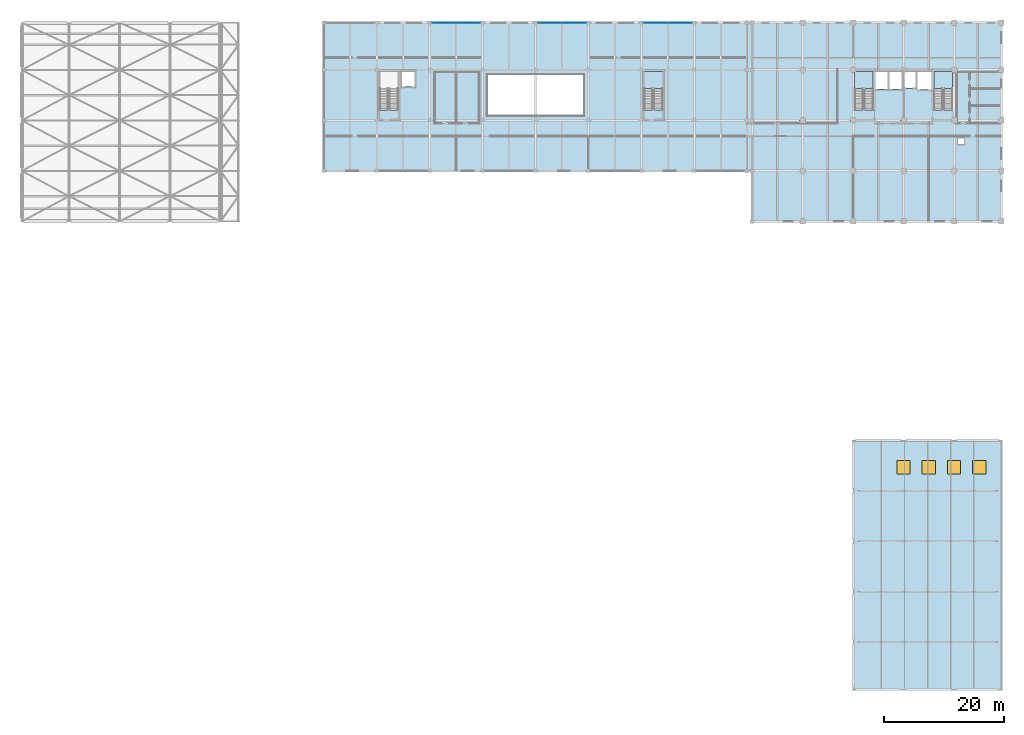
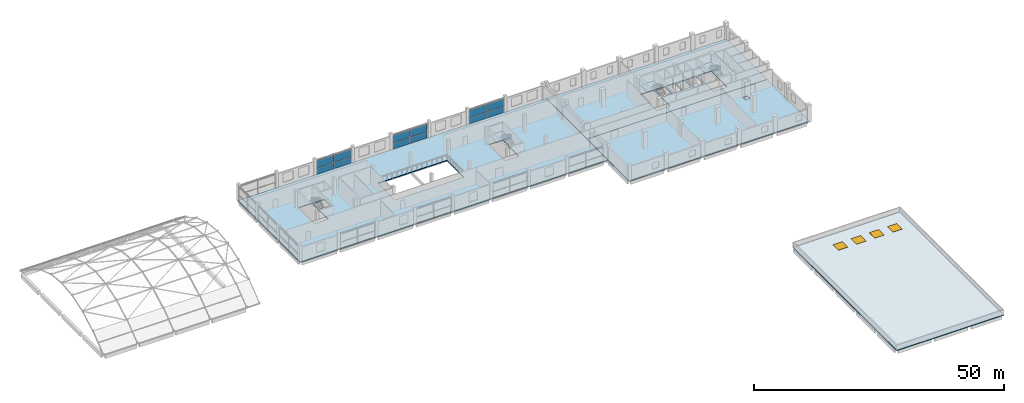
# One storey, part 23 of 38: 12 plates, 7 slabs, 4 windows, 4 openings, 7 elements without a shape of their own.
"""IFC4 building model written with IfcOpenShell, lengths in metres."""

from ifc_helpers import new_model, si_unit, direction, frame, origin, origin_2d, place, context, subcontext, project, spatial, polyline, rectangle, outline, extrude, material, layer, layer_set, type_object, element, fill, aggregate, save


model = new_model("IFC4")

# Units and contexts
model_context = context("Model", 3, precision=1e-05, world=origin(), true_north=direction((0.0, 1.0)))
body_context = subcontext(model_context, "Body", "Model", "MODEL_VIEW")
ifc_project = project(units=[si_unit("LENGTHUNIT", "METRE"), si_unit("AREAUNIT", "SQUARE_METRE"), si_unit("VOLUMEUNIT", "CUBIC_METRE"), si_unit("PLANEANGLEUNIT", "RADIAN"), si_unit("MASSUNIT", "GRAM", prefix="KILO")], contexts=[model_context])

# Site, building, storey
site_placement = place(None, origin())
site = spatial("IfcSite", under=ifc_project, at=site_placement, CompositionType="ELEMENT")
building_placement = place(site_placement, origin())
building = spatial("IfcBuilding", under=site, at=building_placement, Name="Brinegate Botanical Conservatory", CompositionType="ELEMENT")
storey_placement = place(building_placement, frame((0.0, 0.0, 10.199951171875)))
storey = spatial("IfcBuildingStorey", under=building, at=storey_placement, Name="L03", CompositionType="ELEMENT", Elevation=10.199951171875)

# Curtain wall, plates
ifc_material_1 = material(Name="Thermally broken anodised aluminium AW-6063-T6", Category="aluminium")
curtain_wall_type = type_object("IfcCurtainWallType", Name="CW_CW-V3", PredefinedType="USERDEFINED", material=ifc_material_1)
curtain_wall_1_placement = place(storey_placement, origin())
curtain_wall_1 = element("IfcCurtainWall", 1, at=curtain_wall_1_placement, inside=storey, type_object=curtain_wall_type, Name="Visitor north factory curtain wall L03.3", ObjectType="FACTORY CURTAIN WALL", PredefinedType="USERDEFINED")
ifc_material_2 = material(Name="Double-silver Low-E laminated safety glass", Category="glass")
ifc_layer_1 = layer(ifc_material_2, 0.028076171875, Name="Double-silver Low-E laminated safety glass", Category="glass")
ifc_layer_set_1 = layer_set([ifc_layer_1], Name="Double-silver Low-E laminated safety glass")
plate_type = type_object("IfcPlateType", Name="Plate_PN-28", PredefinedType="CURTAIN_PANEL", material=ifc_layer_set_1)
plate_1_placement = place(storey_placement, frame((70.7861328125, 111.449951171875, 0.065185546875), z_axis=(0.0, 0.0, 1.0), x_axis=(1.0, 0.0, 0.0)))
plate_1 = element("IfcPlate", 2, at=plate_1_placement, type_object=plate_type, Name="CW-V3 panel 1.1", PredefinedType="CURTAIN_PANEL", context=body_context, shape_type="SweptSolid", body=[
    extrude(rectangle(XDim=3.96240234375, YDim=0.028076171875, at=origin_2d()), origin(), (0.0, 0.0, 1.0), 1.482421875),
])
plate_2_placement = place(storey_placement, frame((70.7861328125, 111.449951171875, 1.612548828125), z_axis=(0.0, 0.0, 1.0), x_axis=(1.0, 0.0, 0.0)))
plate_2 = element("IfcPlate", 3, at=plate_2_placement, type_object=plate_type, Name="CW-V3 panel 1.2", PredefinedType="CURTAIN_PANEL", context=body_context, shape_type="SweptSolid", body=[
    extrude(rectangle(XDim=3.96240234375, YDim=0.028076171875, at=origin_2d()), origin(), (0.0, 0.0, 1.0), 1.83251953125),
])
plate_3_placement = place(storey_placement, frame((74.813720703125, 111.449951171875, 0.065185546875), z_axis=(0.0, 0.0, 1.0), x_axis=(1.0, 0.0, 0.0)))
plate_3 = element("IfcPlate", 4, at=plate_3_placement, type_object=plate_type, Name="CW-V3 panel 2.1", PredefinedType="CURTAIN_PANEL", context=body_context, shape_type="SweptSolid", body=[
    extrude(rectangle(XDim=3.96240234375, YDim=0.028076171875, at=origin_2d()), origin(), (0.0, 0.0, 1.0), 1.482421875),
])
plate_4_placement = place(storey_placement, frame((74.813720703125, 111.449951171875, 1.612548828125), z_axis=(0.0, 0.0, 1.0), x_axis=(1.0, 0.0, 0.0)))
plate_4 = element("IfcPlate", 5, at=plate_4_placement, type_object=plate_type, Name="CW-V3 panel 2.2", PredefinedType="CURTAIN_PANEL", context=body_context, shape_type="SweptSolid", body=[
    extrude(rectangle(XDim=3.96240234375, YDim=0.028076171875, at=origin_2d()), origin(), (0.0, 0.0, 1.0), 1.83251953125),
])
aggregate(curtain_wall_1, [plate_1, plate_2, plate_3, plate_4])

curtain_wall_2_placement = place(storey_placement, origin())
curtain_wall_2 = element("IfcCurtainWall", 6, at=curtain_wall_2_placement, inside=storey, type_object=curtain_wall_type, Name="Visitor north factory curtain wall L03.5", ObjectType="FACTORY CURTAIN WALL", PredefinedType="USERDEFINED")
plate_5_placement = place(storey_placement, frame((88.38623046875, 111.449951171875, 0.065185546875), z_axis=(0.0, 0.0, 1.0), x_axis=(1.0, 0.0, 0.0)))
plate_5 = element("IfcPlate", 7, at=plate_5_placement, type_object=plate_type, Name="CW-V3 panel 1.1", PredefinedType="CURTAIN_PANEL", context=body_context, shape_type="SweptSolid", body=[
    extrude(rectangle(XDim=3.96240234375, YDim=0.028076171875, at=origin_2d()), origin(), (0.0, 0.0, 1.0), 1.482421875),
])
plate_6_placement = place(storey_placement, frame((88.38623046875, 111.449951171875, 1.612548828125), z_axis=(0.0, 0.0, 1.0), x_axis=(1.0, 0.0, 0.0)))
plate_6 = element("IfcPlate", 8, at=plate_6_placement, type_object=plate_type, Name="CW-V3 panel 1.2", PredefinedType="CURTAIN_PANEL", context=body_context, shape_type="SweptSolid", body=[
    extrude(rectangle(XDim=3.96240234375, YDim=0.028076171875, at=origin_2d()), origin(), (0.0, 0.0, 1.0), 1.83251953125),
])
plate_7_placement = place(storey_placement, frame((92.413818359375, 111.449951171875, 0.065185546875), z_axis=(0.0, 0.0, 1.0), x_axis=(1.0, 0.0, 0.0)))
plate_7 = element("IfcPlate", 9, at=plate_7_placement, type_object=plate_type, Name="CW-V3 panel 2.1", PredefinedType="CURTAIN_PANEL", context=body_context, shape_type="SweptSolid", body=[
    extrude(rectangle(XDim=3.96240234375, YDim=0.028076171875, at=origin_2d()), origin(), (0.0, 0.0, 1.0), 1.482421875),
])
plate_8_placement = place(storey_placement, frame((92.413818359375, 111.449951171875, 1.612548828125), z_axis=(0.0, 0.0, 1.0), x_axis=(1.0, 0.0, 0.0)))
plate_8 = element("IfcPlate", 10, at=plate_8_placement, type_object=plate_type, Name="CW-V3 panel 2.2", PredefinedType="CURTAIN_PANEL", context=body_context, shape_type="SweptSolid", body=[
    extrude(rectangle(XDim=3.96240234375, YDim=0.028076171875, at=origin_2d()), origin(), (0.0, 0.0, 1.0), 1.83251953125),
])
aggregate(curtain_wall_2, [plate_5, plate_6, plate_7, plate_8])

curtain_wall_3_placement = place(storey_placement, origin())
curtain_wall_3 = element("IfcCurtainWall", 11, at=curtain_wall_3_placement, inside=storey, type_object=curtain_wall_type, Name="Visitor north factory curtain wall L03.7", ObjectType="FACTORY CURTAIN WALL", PredefinedType="USERDEFINED")
plate_9_placement = place(storey_placement, frame((105.986328125, 111.449951171875, 0.065185546875), z_axis=(0.0, 0.0, 1.0), x_axis=(1.0, 0.0, 0.0)))
plate_9 = element("IfcPlate", 12, at=plate_9_placement, type_object=plate_type, Name="CW-V3 panel 1.1", PredefinedType="CURTAIN_PANEL", context=body_context, shape_type="SweptSolid", body=[
    extrude(rectangle(XDim=3.96240234375, YDim=0.028076171875, at=origin_2d()), origin(), (0.0, 0.0, 1.0), 1.482421875),
])
plate_10_placement = place(storey_placement, frame((105.986328125, 111.449951171875, 1.612548828125), z_axis=(0.0, 0.0, 1.0), x_axis=(1.0, 0.0, 0.0)))
plate_10 = element("IfcPlate", 13, at=plate_10_placement, type_object=plate_type, Name="CW-V3 panel 1.2", PredefinedType="CURTAIN_PANEL", context=body_context, shape_type="SweptSolid", body=[
    extrude(rectangle(XDim=3.96240234375, YDim=0.028076171875, at=origin_2d()), origin(), (0.0, 0.0, 1.0), 1.83251953125),
])
plate_11_placement = place(storey_placement, frame((110.013671875, 111.449951171875, 0.065185546875), z_axis=(0.0, 0.0, 1.0), x_axis=(1.0, 0.0, 0.0)))
plate_11 = element("IfcPlate", 14, at=plate_11_placement, type_object=plate_type, Name="CW-V3 panel 2.1", PredefinedType="CURTAIN_PANEL", context=body_context, shape_type="SweptSolid", body=[
    extrude(rectangle(XDim=3.96240234375, YDim=0.028076171875, at=origin_2d()), origin(), (0.0, 0.0, 1.0), 1.482421875),
])
plate_12_placement = place(storey_placement, frame((110.013671875, 111.449951171875, 1.612548828125), z_axis=(0.0, 0.0, 1.0), x_axis=(1.0, 0.0, 0.0)))
plate_12 = element("IfcPlate", 15, at=plate_12_placement, type_object=plate_type, Name="CW-V3 panel 2.2", PredefinedType="CURTAIN_PANEL", context=body_context, shape_type="SweptSolid", body=[
    extrude(rectangle(XDim=3.96240234375, YDim=0.028076171875, at=origin_2d()), origin(), (0.0, 0.0, 1.0), 1.83251953125),
])
aggregate(curtain_wall_3, [plate_9, plate_10, plate_11, plate_12])

# Slabs
ifc_material_3 = material(Name="Concrete C40/50", Category="concrete")
ifc_layer_2 = layer(ifc_material_3, 0.219970703125, Name="Concrete C40/50", Category="concrete")
ifc_layer_set_2 = layer_set([ifc_layer_2], Name="Concrete C40/50")
slab_type_1 = type_object("IfcSlabType", Name="Slab_SL-FL220", PredefinedType="FLOOR", material=ifc_layer_set_2)
slab_1_placement = place(storey_placement, frame((0.0, 0.0, -0.219970703125)))
element("IfcSlab", 16, at=slab_1_placement, inside=storey, type_object=slab_type_1, Name="Visitor Wing L03 floor slab", PredefinedType="FLOOR", context=body_context, shape_type="SweptSolid", body=[
    extrude(outline(polyline([(50.800048828125, 86.800048828125), (121.919921875, 86.800048828125), (121.919921875, 111.60009765625), (50.800048828125, 111.60009765625), (50.800048828125, 86.800048828125)]), holes=[polyline([(63.14990234375, 96.89990234375), (63.14990234375, 103.35009765625), (60.050048828125, 103.35009765625), (60.050048828125, 96.89990234375), (63.14990234375, 96.89990234375)]), polyline([(107.14990234375, 96.89990234375), (107.14990234375, 103.35009765625), (104.050048828125, 103.35009765625), (104.050048828125, 96.89990234375), (107.14990234375, 96.89990234375)]), polyline([(63.699951171875, 100.800048828125), (65.89990234375, 100.800048828125), (65.89990234375, 103.300048828125), (63.699951171875, 103.300048828125), (63.699951171875, 100.800048828125)]), polyline([(78.0, 96.0), (94.0, 96.0), (94.0, 102.800048828125), (78.0, 102.800048828125), (78.0, 96.0)])]), origin(), (0.0, 0.0, 1.0), 0.219970703125),
])
slab_2_placement = place(storey_placement, frame((0.0, 0.0, -0.219970703125)))
element("IfcSlab", 17, at=slab_2_placement, inside=storey, type_object=slab_type_1, Name="Research Tower L03 north structural floor slab", PredefinedType="FLOOR", context=body_context, shape_type="SweptSolid", body=[
    extrude(outline(polyline([(122.0, 111.60009765625), (163.60009765625, 111.60009765625), (163.60009765625, 95.199951171875), (122.0, 95.199951171875), (122.0, 111.60009765625)]), holes=[polyline([(142.14990234375, 96.89990234375), (142.14990234375, 103.35009765625), (139.050048828125, 103.35009765625), (139.050048828125, 96.89990234375), (142.14990234375, 96.89990234375)]), polyline([(155.35009765625, 96.89990234375), (155.35009765625, 103.35009765625), (152.25, 103.35009765625), (152.25, 96.89990234375), (155.35009765625, 96.89990234375)]), polyline([(142.550048828125, 100.39990234375), (144.60009765625, 100.39990234375), (144.60009765625, 103.300048828125), (142.550048828125, 103.300048828125), (142.550048828125, 100.39990234375)]), polyline([(144.85009765625, 100.39990234375), (146.89990234375, 100.39990234375), (146.89990234375, 103.300048828125), (144.85009765625, 103.300048828125), (144.85009765625, 100.39990234375)]), polyline([(147.14990234375, 100.60009765625), (149.199951171875, 100.60009765625), (149.199951171875, 103.300048828125), (147.14990234375, 103.300048828125), (147.14990234375, 100.60009765625)]), polyline([(149.449951171875, 100.300048828125), (151.85009765625, 100.300048828125), (151.85009765625, 103.300048828125), (149.449951171875, 103.300048828125), (149.449951171875, 100.300048828125)])]), origin(), (0.0, 0.0, 1.0), 0.219970703125),
])
slab_3_placement = place(storey_placement, frame((0.0, 0.0, -0.219970703125)))
element("IfcSlab", 18, at=slab_3_placement, inside=storey, type_object=slab_type_1, Name="Research Tower L03 south structural floor slab", PredefinedType="FLOOR", context=body_context, shape_type="SweptSolid", body=[
    extrude(outline(polyline([(163.60009765625, 78.39990234375), (122.0, 78.39990234375), (122.0, 95.199951171875), (163.60009765625, 95.199951171875), (163.60009765625, 78.39990234375)]), holes=[polyline([(156.199951171875, 91.199951171875), (157.300048828125, 91.199951171875), (157.300048828125, 92.199951171875), (156.199951171875, 92.199951171875), (156.199951171875, 91.199951171875)])]), origin(), (0.0, 0.0, 1.0), 0.219970703125),
])

# Stair, slab
stair_type = type_object("IfcStairType", Name="Stair_HT-4500", PredefinedType="HALF_TURN_STAIR", material=ifc_material_3)
stair_1_placement = place(storey_placement, origin())
stair_1 = element("IfcStair", 19, at=stair_1_placement, inside=storey, type_object=stair_type, Name="L03 Tower West Smoke-Proof Stair ST1", PredefinedType="HALF_TURN_STAIR")
ifc_layer_3 = layer(ifc_material_3, 0.199951171875, Name="Concrete C40/50", Category="concrete")
ifc_layer_set_3 = layer_set([ifc_layer_3], Name="Concrete C40/50")
slab_type_2 = type_object("IfcSlabType", Name="Slab_SL-LD200", PredefinedType="LANDING", material=ifc_layer_set_3)
slab_4_placement = place(storey_placement, frame((0.0, 0.0, 2.050048828125)))
slab_4 = element("IfcSlab", 20, at=slab_4_placement, type_object=slab_type_2, Name="ST1 landing 1", PredefinedType="LANDING", context=body_context, shape_type="SweptSolid", body=[
    extrude(outline(polyline([(142.14990234375, 100.5400390625), (142.14990234375, 103.35009765625), (139.050048828125, 103.35009765625), (139.050048828125, 100.5400390625), (142.14990234375, 100.5400390625)])), origin(), (0.0, 0.0, 1.0), 0.199951171875),
])
aggregate(stair_1, [slab_4])

stair_2_placement = place(storey_placement, origin())
stair_2 = element("IfcStair", 21, at=stair_2_placement, inside=storey, type_object=stair_type, Name="L03 Tower East Smoke-Proof Stair ST2", PredefinedType="HALF_TURN_STAIR")
slab_5_placement = place(storey_placement, frame((0.0, 0.0, 2.050048828125)))
slab_5 = element("IfcSlab", 22, at=slab_5_placement, type_object=slab_type_2, Name="ST2 landing 1", PredefinedType="LANDING", context=body_context, shape_type="SweptSolid", body=[
    extrude(outline(polyline([(155.35009765625, 100.5400390625), (155.35009765625, 103.35009765625), (152.25, 103.35009765625), (152.25, 100.5400390625), (155.35009765625, 100.5400390625)])), origin(), (0.0, 0.0, 1.0), 0.199951171875),
])
aggregate(stair_2, [slab_5])

stair_3_placement = place(storey_placement, origin())
stair_3 = element("IfcStair", 23, at=stair_3_placement, inside=storey, type_object=stair_type, Name="L03 Visitor Wing East Smoke-Proof Stair ST4", PredefinedType="HALF_TURN_STAIR")
slab_6_placement = place(storey_placement, frame((0.0, 0.0, 2.050048828125)))
slab_6 = element("IfcSlab", 24, at=slab_6_placement, type_object=slab_type_2, Name="ST4 landing 1", PredefinedType="LANDING", context=body_context, shape_type="SweptSolid", body=[
    extrude(outline(polyline([(107.14990234375, 100.5400390625), (107.14990234375, 103.35009765625), (104.050048828125, 103.35009765625), (104.050048828125, 100.5400390625), (107.14990234375, 100.5400390625)])), origin(), (0.0, 0.0, 1.0), 0.199951171875),
])
aggregate(stair_3, [slab_6])

# Roof, slab, openings, windows
roof_type = type_object("IfcRoofType", Name="Roof_FLAT", PredefinedType="FLAT_ROOF", material=ifc_material_3)
roof_placement = place(storey_placement, origin())
roof = element("IfcRoof", 25, at=roof_placement, inside=storey, type_object=roof_type, Name="Auditorium flat acoustic roof assembly", PredefinedType="FLAT_ROOF")
ifc_layer_4 = layer(ifc_material_3, 0.199951171875, Name="Concrete C40/50", Category="concrete")
ifc_layer_set_4 = layer_set([ifc_layer_4], Name="Concrete C40/50")
slab_type_3 = type_object("IfcSlabType", Name="Slab_SL-RF200", PredefinedType="ROOF", material=ifc_layer_set_4)
slab_7_placement = place(storey_placement, frame((0.0, 0.0, -0.199951171875)))
slab_7 = element("IfcSlab", 26, at=slab_7_placement, type_object=slab_type_3, Name="Auditorium L03 flat roof deck slab", PredefinedType="ROOF", context=body_context, shape_type="SweptSolid", body=[
    extrude(outline(polyline([(138.800048828125, 0.39990234375), (163.580078125, 0.39990234375), (163.580078125, 42.0), (138.800048828125, 42.0), (138.800048828125, 0.39990234375)])), origin(), (0.0, 0.0, 1.0), 0.199951171875),
])
opening_1_placement = place(slab_7_placement, frame((147.199951171875, 37.5, -0.010009765625)))
opening_1 = element("IfcOpeningElement", 27, at=opening_1_placement, cuts=slab_7, Name="Opening SK-01", PredefinedType="OPENING", context=body_context, shape_type="SweptSolid", body=[
    extrude(rectangle(XDim=2.199951171875, YDim=2.199951171875, at=origin_2d()), origin(), (0.0, 0.0, 1.0), 0.27001953125),
])
opening_2_placement = place(slab_7_placement, frame((151.39990234375, 37.5, -0.010009765625)))
opening_2 = element("IfcOpeningElement", 28, at=opening_2_placement, cuts=slab_7, Name="Opening SK-01", PredefinedType="OPENING", context=body_context, shape_type="SweptSolid", body=[
    extrude(rectangle(XDim=2.199951171875, YDim=2.199951171875, at=origin_2d()), origin(), (0.0, 0.0, 1.0), 0.27001953125),
])
opening_3_placement = place(slab_7_placement, frame((155.60009765625, 37.5, -0.010009765625)))
opening_3 = element("IfcOpeningElement", 29, at=opening_3_placement, cuts=slab_7, Name="Opening SK-01", PredefinedType="OPENING", context=body_context, shape_type="SweptSolid", body=[
    extrude(rectangle(XDim=2.199951171875, YDim=2.199951171875, at=origin_2d()), origin(), (0.0, 0.0, 1.0), 0.27001953125),
])
opening_4_placement = place(slab_7_placement, frame((159.800048828125, 37.5, -0.010009765625)))
opening_4 = element("IfcOpeningElement", 30, at=opening_4_placement, cuts=slab_7, Name="Opening SK-01", PredefinedType="OPENING", context=body_context, shape_type="SweptSolid", body=[
    extrude(rectangle(XDim=2.199951171875, YDim=2.199951171875, at=origin_2d()), origin(), (0.0, 0.0, 1.0), 0.27001953125),
])
ifc_material_4 = material(Name="Thermally broken aluminium-framed Low-E glass", Category="aluminium")
window_type = type_object("IfcWindowType", Name="Win_SK-01", PartitioningType="SINGLE_PANEL", PredefinedType="SKYLIGHT", material=ifc_material_4)
window_1_placement = place(slab_7_placement, frame((147.199951171875, 37.5, 0.199951171875)))
window_1 = element("IfcWindow", 31, at=window_1_placement, inside=storey, type_object=window_type, Name="Auditorium foyer skylight 1", OverallHeight=2.199951171875, OverallWidth=2.199951171875, PartitioningType="SINGLE_PANEL", PredefinedType="SKYLIGHT", context=body_context, shape_type="SweptSolid", body=[
    extrude(rectangle(XDim=2.199951171875, YDim=2.199951171875, at=origin_2d()), origin(), (0.0, 0.0, 1.0), 0.050048828125),
])
fill(opening_1, window_1)
window_2_placement = place(slab_7_placement, frame((151.39990234375, 37.5, 0.199951171875)))
window_2 = element("IfcWindow", 32, at=window_2_placement, inside=storey, type_object=window_type, Name="Auditorium foyer skylight 2", OverallHeight=2.199951171875, OverallWidth=2.199951171875, PartitioningType="SINGLE_PANEL", PredefinedType="SKYLIGHT", context=body_context, shape_type="SweptSolid", body=[
    extrude(rectangle(XDim=2.199951171875, YDim=2.199951171875, at=origin_2d()), origin(), (0.0, 0.0, 1.0), 0.050048828125),
])
fill(opening_2, window_2)
window_3_placement = place(slab_7_placement, frame((155.60009765625, 37.5, 0.199951171875)))
window_3 = element("IfcWindow", 33, at=window_3_placement, inside=storey, type_object=window_type, Name="Auditorium foyer skylight 3", OverallHeight=2.199951171875, OverallWidth=2.199951171875, PartitioningType="SINGLE_PANEL", PredefinedType="SKYLIGHT", context=body_context, shape_type="SweptSolid", body=[
    extrude(rectangle(XDim=2.199951171875, YDim=2.199951171875, at=origin_2d()), origin(), (0.0, 0.0, 1.0), 0.050048828125),
])
fill(opening_3, window_3)
window_4_placement = place(slab_7_placement, frame((159.800048828125, 37.5, 0.199951171875)))
window_4 = element("IfcWindow", 34, at=window_4_placement, inside=storey, type_object=window_type, Name="Auditorium foyer skylight 4", OverallHeight=2.199951171875, OverallWidth=2.199951171875, PartitioningType="SINGLE_PANEL", PredefinedType="SKYLIGHT", context=body_context, shape_type="SweptSolid", body=[
    extrude(rectangle(XDim=2.199951171875, YDim=2.199951171875, at=origin_2d()), origin(), (0.0, 0.0, 1.0), 0.050048828125),
])
fill(opening_4, window_4)
aggregate(roof, [slab_7])

save(model, "model.ifc")
